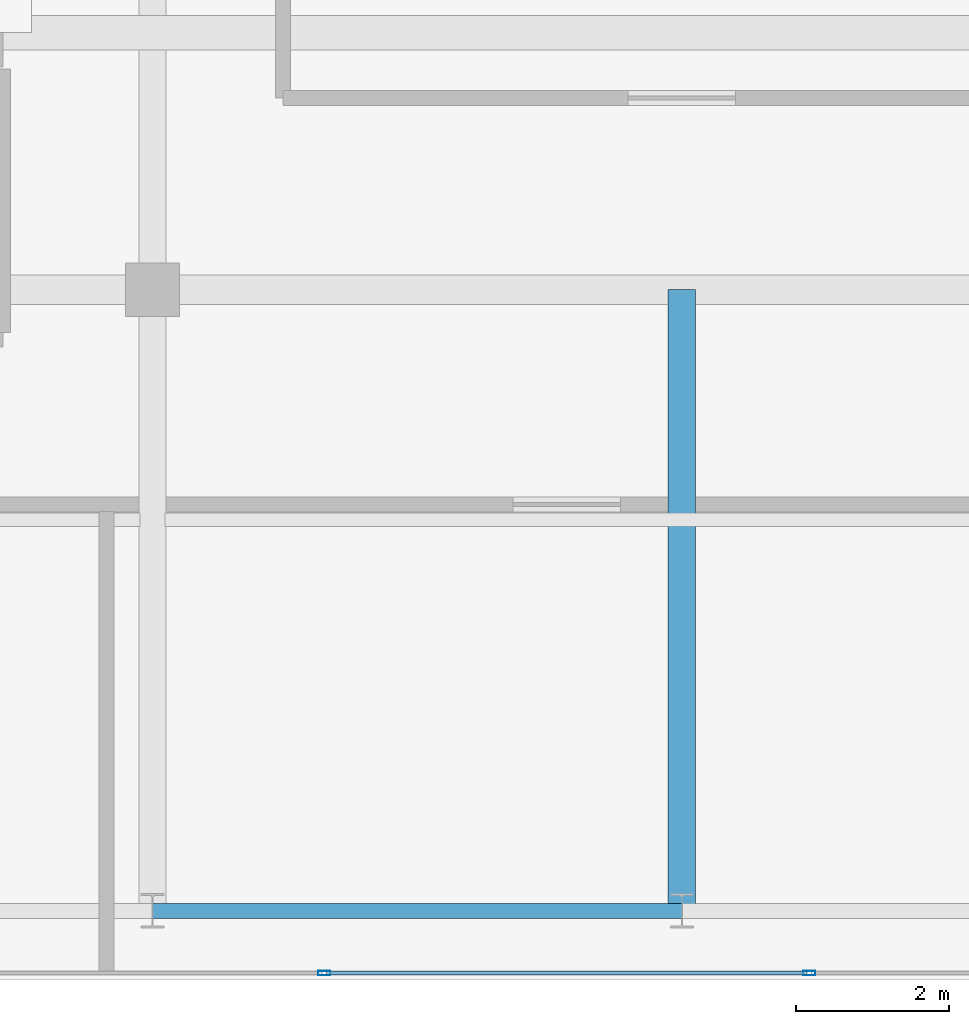
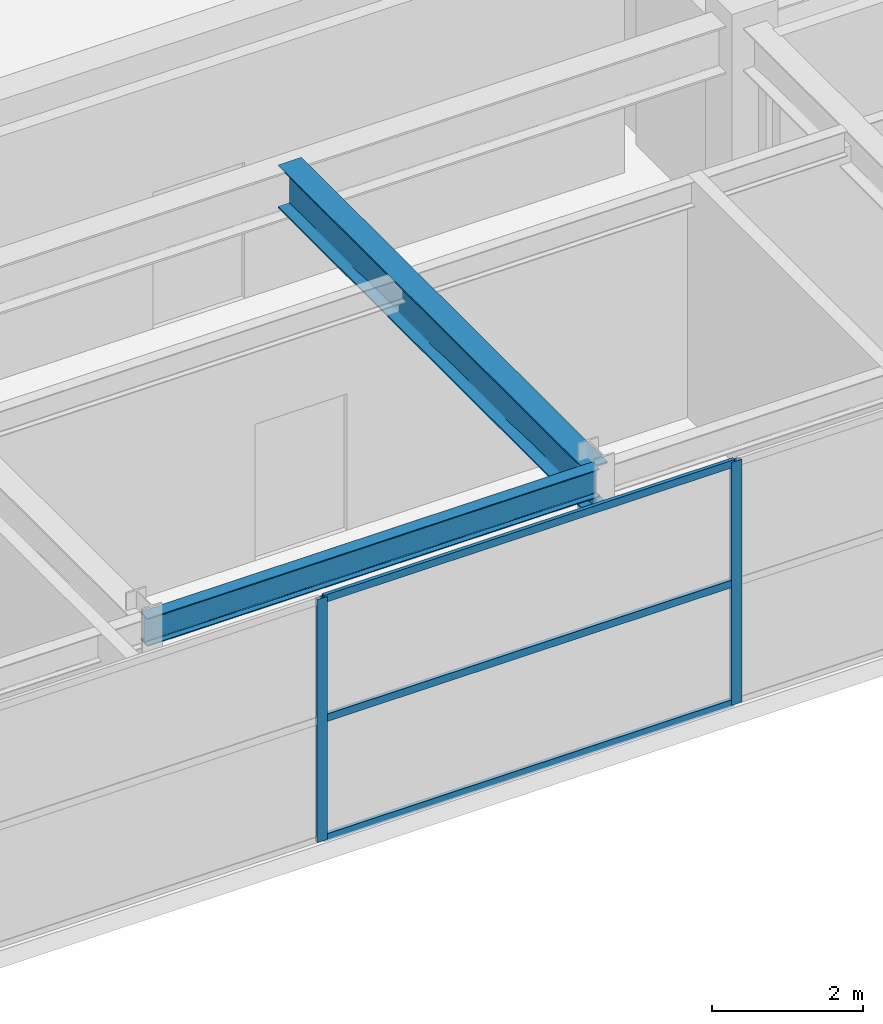
# One storey, part 7 of 32: 5 members, 2 beams, 1 element without a shape of its own.
"""IFC4 building model written with IfcOpenShell, lengths in metres."""

from ifc_helpers import new_model, si_unit, direction, frame, origin, origin_2d, place, context, subcontext, project, spatial, hollow_rectangle, i_section, extrude, source, transform, mapped, material, layer, layer_set, material_profile, profile_set, type_object, element, aggregate, save


model = new_model("IFC4")

# Units and contexts
model_context = context("Model", 3, precision=1e-05, world=origin(), true_north=direction((0.0, 1.0)))
body_context = subcontext(model_context, "Body", "Model", "MODEL_VIEW")
ifc_project = project(units=[si_unit("LENGTHUNIT", "METRE"), si_unit("AREAUNIT", "SQUARE_METRE"), si_unit("VOLUMEUNIT", "CUBIC_METRE"), si_unit("PLANEANGLEUNIT", "RADIAN"), si_unit("MASSUNIT", "GRAM", prefix="KILO")], contexts=[model_context])

# Site, building, storey
site_placement = place(None, origin())
site = spatial("IfcSite", under=ifc_project, at=site_placement, CompositionType="ELEMENT")
building_placement = place(site_placement, origin())
building = spatial("IfcBuilding", under=site, at=building_placement, Name="Khoralis Quay Care Tower", CompositionType="ELEMENT")
storey_placement = place(building_placement, frame((0.0, 0.0, 297.89990234375)))
storey = spatial("IfcBuildingStorey", under=building, at=storey_placement, Name="L78", CompositionType="ELEMENT", Elevation=297.89990234375)

# Beams
ifc_material_1 = material(Name="Steel S355", Category="steel")
ifc_material_profile_1 = material_profile(ifc_material_1, i_section(OverallWidth=0.18994140625, OverallDepth=0.449951171875, WebThickness=0.009521484375, FlangeThickness=0.0146484375, FilletRadius=0.02099609375, at=origin_2d()), Name="Steel S355")
ifc_profile_set_1 = profile_set([ifc_material_profile_1], Name="Steel S355")
beam_type_1 = type_object("IfcBeamType", Name="BM-IPE450", PredefinedType="SPANDREL", material=ifc_profile_set_1)
shared_shape_1 = source(origin(), body_context, "Body", "SweptSolid", [
    extrude(i_section(OverallWidth=0.18994140625, OverallDepth=0.449951171875, WebThickness=0.009521484375, FlangeThickness=0.0146484375, FilletRadius=0.02099609375, at=origin_2d()), origin(), (0.0, 0.0, 1.0), 6.89990234375),
])
beam_1_placement = place(storey_placement, frame((17.10009765625, 3.89990234375, 3.695068359375), z_axis=(1.0, 0.0, 0.0), x_axis=(0.0, 1.0, 0.0)))
element("IfcBeam", 1, at=beam_1_placement, inside=storey, type_object=beam_type_1, Name="BM-TSP-L78-02", PredefinedType="SPANDREL", context=body_context, shape_type="MappedRepresentation", body=[
    mapped(shared_shape_1, transform((0.0, 0.0, 0.0), scale=1.0)),
])
ifc_material_profile_2 = material_profile(ifc_material_1, i_section(OverallWidth=0.35498046875, OverallDepth=0.695068359375, WebThickness=0.015380859375, FlangeThickness=0.02490234375, FilletRadius=0.02001953125, at=origin_2d()), Name="Steel S355")
ifc_profile_set_2 = profile_set([ifc_material_profile_2], Name="Steel S355")
beam_type_2 = type_object("IfcBeamType", Name="BM-W690X217", PredefinedType="BEAM", material=ifc_profile_set_2)
shared_shape_2 = source(origin(), body_context, "Body", "SweptSolid", [
    extrude(i_section(OverallWidth=0.35498046875, OverallDepth=0.695068359375, WebThickness=0.015380859375, FlangeThickness=0.02490234375, FilletRadius=0.02001953125, at=origin_2d()), origin(), (0.0, 0.0, 1.0), 8.10009765625),
])
beam_2_placement = place(storey_placement, frame((24.0, 3.89990234375, 3.572509765625), z_axis=(0.0, 1.0, 0.0), x_axis=(-1.0, 0.0, 0.0)))
element("IfcBeam", 2, at=beam_2_placement, inside=storey, type_object=beam_type_2, Name="BM-TGYS-L78-240", PredefinedType="BEAM", context=body_context, shape_type="MappedRepresentation", body=[
    mapped(shared_shape_2, transform((0.0, 0.0, 0.0), scale=1.0)),
])

# Curtain wall, members
ifc_material_2 = material(Name="Pale anodised aluminium", Category="aluminium")
ifc_layer = layer(ifc_material_2, 0.199951171875)
ifc_layer_set = layer_set([ifc_layer], Name="Pale anodised aluminium")
curtain_wall_type = type_object("IfcCurtainWallType", Name="CW-SYS-LANTERN", PredefinedType="NOTDEFINED", material=ifc_layer_set)
curtain_wall_placement = place(storey_placement, origin())
curtain_wall = element("IfcCurtainWall", 3, at=curtain_wall_placement, inside=storey, type_object=curtain_wall_type, Name="L78 Unitised Curtain Wall CW-LN-L78-01", PredefinedType="NOTDEFINED")
ifc_material_profile_3 = material_profile(ifc_material_2, hollow_rectangle(XDim=0.06005859375, YDim=0.159912109375, WallThickness=0.00390625, at=origin_2d()), Name="Pale anodised aluminium")
ifc_profile_set_3 = profile_set([ifc_material_profile_3], Name="Pale anodised aluminium")
member_type_1 = type_object("IfcMemberType", Name="CW-MUL-160", PredefinedType="MULLION", material=ifc_profile_set_3)
shared_shape_3 = source(origin(), body_context, "Body", "SweptSolid", [
    extrude(hollow_rectangle(XDim=0.06005859375, YDim=0.159912109375, WallThickness=0.00390625, at=origin_2d()), origin(), (0.0, 0.0, 1.0), 3.920166015625),
])
member_1_placement = place(storey_placement, frame((19.337890625, 3.090087890625, 0.0), z_axis=(0.0, 0.0, 1.0), x_axis=(0.0, 1.0, 0.0)))
member_1 = element("IfcMember", 4, at=member_1_placement, type_object=member_type_1, Name="CW5 mullion 3", PredefinedType="MULLION", context=body_context, shape_type="MappedRepresentation", body=[
    mapped(shared_shape_3, transform((0.0, 0.0, 0.0), scale=1.0)),
])
member_2_placement = place(storey_placement, frame((25.662109375, 3.090087890625, 0.0), z_axis=(0.0, 0.0, 1.0), x_axis=(0.0, 1.0, 0.0)))
member_2 = element("IfcMember", 5, at=member_2_placement, type_object=member_type_1, Name="CW5 mullion 4", PredefinedType="MULLION", context=body_context, shape_type="MappedRepresentation", body=[
    mapped(shared_shape_3, transform((0.0, 0.0, 0.0), scale=1.0)),
])
ifc_material_profile_4 = material_profile(ifc_material_2, hollow_rectangle(XDim=0.054931640625, YDim=0.1201171875, WallThickness=0.00390625, at=origin_2d()), Name="Pale anodised aluminium")
ifc_profile_set_4 = profile_set([ifc_material_profile_4], Name="Pale anodised aluminium")
member_type_2 = type_object("IfcMemberType", Name="CW-TRN-120", PredefinedType="USERDEFINED", material=ifc_profile_set_4)
shared_shape_4 = source(origin(), body_context, "Body", "SweptSolid", [
    extrude(hollow_rectangle(XDim=0.054931640625, YDim=0.1201171875, WallThickness=0.00390625, at=origin_2d()), origin(), (0.0, 0.0, 1.0), 6.26416015625),
])
member_3_placement = place(storey_placement, frame((19.367919921875, 3.090087890625, 0.030029296875), z_axis=(1.0, 0.0, 0.0), x_axis=(0.0, 1.0, 0.0)))
member_3 = element("IfcMember", 6, at=member_3_placement, type_object=member_type_2, Name="CW5 transom 3.1", ObjectType="TRANSOM", PredefinedType="USERDEFINED", context=body_context, shape_type="MappedRepresentation", body=[
    mapped(shared_shape_4, transform((0.0, 0.0, 0.0), scale=1.0)),
])
member_4_placement = place(storey_placement, frame((19.367919921875, 3.090087890625, 1.960205078125), z_axis=(1.0, 0.0, 0.0), x_axis=(0.0, 1.0, 0.0)))
member_4 = element("IfcMember", 7, at=member_4_placement, type_object=member_type_2, Name="CW5 transom 3.2", ObjectType="TRANSOM", PredefinedType="USERDEFINED", context=body_context, shape_type="MappedRepresentation", body=[
    mapped(shared_shape_4, transform((0.0, 0.0, 0.0), scale=1.0)),
])
member_5_placement = place(storey_placement, frame((19.367919921875, 3.090087890625, 3.89013671875), z_axis=(1.0, 0.0, 0.0), x_axis=(0.0, 1.0, 0.0)))
member_5 = element("IfcMember", 8, at=member_5_placement, type_object=member_type_2, Name="CW5 transom 3.3", ObjectType="TRANSOM", PredefinedType="USERDEFINED", context=body_context, shape_type="MappedRepresentation", body=[
    mapped(shared_shape_4, transform((0.0, 0.0, 0.0), scale=1.0)),
])
aggregate(curtain_wall, [member_1, member_2, member_3, member_4, member_5])

save(model, "model.ifc")
